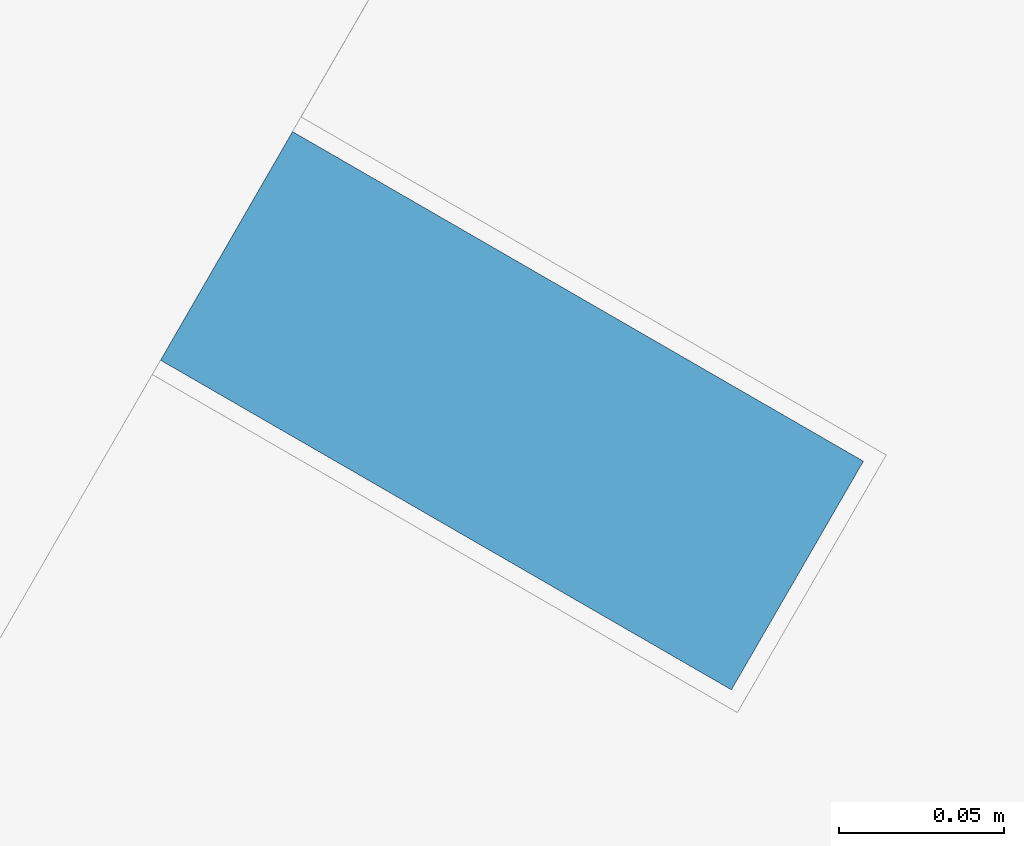
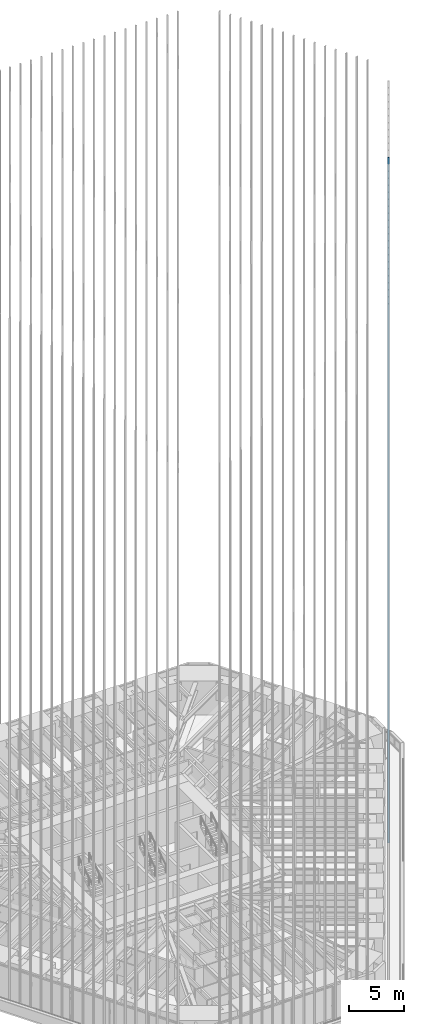
# One storey, part 104 of 238: 1 member, 1 element without a shape of its own.
"""IFC4 building model written with IfcOpenShell, lengths in metres."""

import ifcopenshell
import ifcopenshell.guid

model = None  # the IFC model being written
_history = None  # IfcOwnerHistory: only IFC2X3 demands one
_inside = {}  # id of a spatial element -> (the spatial element, [elements in it])
_under = {}  # id of a project, library or spatial element -> (it, [spatial elements below it])
_declared = {}  # id of a project -> (the project, [libraries it declares])
_typed = {}  # id of a type object -> (the type object, [elements of that type])
_made_of = {}  # id of a material, layer set ... -> (it, [elements and type objects made of it])


def new_model(schema):
    """Start an empty IFC model of exactly this schema.

    Asked for "IFC4X3", IfcOpenShell would pick the latest addendum, in which some entities
    have other attributes; the version numbers below select the first issue.
    IFC2X3 requires an IfcOwnerHistory on every rooted entity: one is made here for all.
    """
    global model, _history
    if schema == "IFC4X3":
        model = ifcopenshell.file(schema_version=(4, 3, 0, 0))
    else:
        model = ifcopenshell.file(schema=schema)
    _inside.clear()
    _under.clear()
    _declared.clear()
    _typed.clear()
    _made_of.clear()
    _history = None
    if model.schema == "IFC2X3":
        org = make("IfcOrganization", Name="unknown")
        user = make(
            "IfcPersonAndOrganization",
            ThePerson=make("IfcPerson", FamilyName="unknown"),
            TheOrganization=org,
        )
        app = make(
            "IfcApplication",
            ApplicationDeveloper=org,
            Version="unknown",
            ApplicationFullName="unknown",
            ApplicationIdentifier="unknown",
        )
        _history = make(
            "IfcOwnerHistory",
            OwningUser=user,
            OwningApplication=app,
            ChangeAction="ADDED",
            CreationDate=0,
        )
    return model


def make(cls, **values):
    """One entity of the class cls with the attributes given. An attribute that is None is left unset."""
    return model.create_entity(
        cls, **{name: value for name, value in values.items() if value is not None}
    )


def rooted(cls, **values):
    """An entity with a GlobalId (a new one), such as an element, a storey or a relation."""
    return make(cls, GlobalId=ifcopenshell.guid.new(), OwnerHistory=_history, **values)


def si_unit(unit_type, name, prefix=None):
    """IfcSIUnit, for example si_unit("LENGTHUNIT", "METRE", prefix="MILLI")."""
    return make("IfcSIUnit", UnitType=unit_type, Prefix=prefix, Name=name)


def assignment(units):
    """IfcUnitAssignment: the units of a project."""
    return None if units is None else make("IfcUnitAssignment", Units=units)


def point(xyz):
    """IfcCartesianPoint."""
    return None if xyz is None else make("IfcCartesianPoint", Coordinates=xyz)


def direction(xyz):
    """IfcDirection."""
    return None if xyz is None else make("IfcDirection", DirectionRatios=xyz)


def frame(location, z_axis=None, x_axis=None):
    """IfcAxis2Placement3D, a coordinate frame: its origin and axes. An axis left out is left unset."""
    return make(
        "IfcAxis2Placement3D",
        Location=point(location),
        Axis=direction(z_axis),
        RefDirection=direction(x_axis),
    )


def frame_2d(location, x_axis=None):
    """IfcAxis2Placement2D, a coordinate frame in the plane: its origin and x axis."""
    return make(
        "IfcAxis2Placement2D", Location=point(location), RefDirection=direction(x_axis)
    )


def origin():
    """The frame at (0, 0, 0) with its axes left unset."""
    return frame((0.0, 0.0, 0.0))


def origin_2d():
    """The frame at (0, 0) in the plane with its x axis left unset."""
    return frame_2d((0.0, 0.0))


def place(relative_to, where):
    """IfcLocalPlacement: puts the frame where relative to a parent placement (None: the world)."""
    return make(
        "IfcLocalPlacement", PlacementRelTo=relative_to, RelativePlacement=where
    )


def context(
    kind, dimensions, precision=None, world=None, true_north=None, identifier=None
):
    """IfcGeometricRepresentationContext, for example the 3D "Model" context."""
    return make(
        "IfcGeometricRepresentationContext",
        ContextIdentifier=identifier,
        ContextType=kind,
        CoordinateSpaceDimension=dimensions,
        Precision=precision,
        WorldCoordinateSystem=world,
        TrueNorth=true_north,
    )


def subcontext(parent, identifier, kind, view, scale=None):
    """IfcGeometricRepresentationSubContext, for example "Body" below "Model"."""
    return make(
        "IfcGeometricRepresentationSubContext",
        ContextIdentifier=identifier,
        ContextType=kind,
        ParentContext=parent,
        TargetScale=scale,
        TargetView=view,
    )


def project(units=None, contexts=None):
    """IfcProject with its units and contexts."""
    return rooted(
        "IfcProject",
        Name="project",
        RepresentationContexts=contexts,
        UnitsInContext=assignment(units),
    )


def spatial(cls, under=None, at=None, **own):
    """A site, building, storey or space (cls), placed at a placement, below another one or the project."""
    s = rooted(cls, ObjectPlacement=at, **own)
    if under is not None:
        _under.setdefault(under.id(), (under, []))[1].append(s)
    return s


def profile(cls, at=None, kind="AREA", **sizes):
    """A parametric profile (cls). Its sizes go by their IFC names, for example OverallWidth=200.0."""
    return make(cls, ProfileType=kind, Position=at, **sizes)


def rectangle(**sizes):
    """IfcRectangleProfileDef."""
    return profile("IfcRectangleProfileDef", **sizes)


def extrude(swept, where, along, depth):
    """IfcExtrudedAreaSolid: the profile swept, set in the frame where, extruded along a direction by depth."""
    return make(
        "IfcExtrudedAreaSolid",
        SweptArea=swept,
        Position=where,
        ExtrudedDirection=direction(along),
        Depth=depth,
    )


def shape(context_of_items, identifier, shape_type, items):
    """IfcShapeRepresentation: the items that make up one representation, for example the "Body"."""
    return make(
        "IfcShapeRepresentation",
        ContextOfItems=context_of_items,
        RepresentationIdentifier=identifier,
        RepresentationType=shape_type,
        Items=items,
    )


def material(Name=None, Category=None):
    """IfcMaterial."""
    return make("IfcMaterial", Name=Name, Category=Category)


def material_profile(
    of_material, cross_section, Name=None, Category=None, Priority=None
):
    """IfcMaterialProfile: a cross section and its material."""
    return make(
        "IfcMaterialProfile",
        Name=Name,
        Material=of_material,
        Profile=cross_section,
        Priority=Priority,
        Category=Category,
    )


def profile_set(profiles, Name=None, composite=None):
    """IfcMaterialProfileSet."""
    return make(
        "IfcMaterialProfileSet",
        Name=Name,
        MaterialProfiles=profiles,
        CompositeProfile=composite,
    )


def made_of(thing, what):
    """Note that an element or type object is made of a material, layer set ...; save() writes the relation."""
    if what is not None:
        _made_of.setdefault(what.id(), (what, []))[1].append(thing)
    return thing


def type_object(cls, material=None, **own):
    """A type object (cls), such as IfcWallType, which elements share."""
    return made_of(rooted(cls, **own), material)


def element(
    cls,
    number,
    at=None,
    inside=None,
    cuts=None,
    type_object=None,
    material=None,
    context=None,
    identifier="Body",
    shape_type=None,
    held_by="IfcProductDefinitionShape",
    body=None,
    shapes=None,
    **own,
):
    """One element of the class cls, such as IfcWall. Its Tag is "e" and its number.

    at: its placement. inside: the storey or other place that contains it. cuts: it is an
    opening in that element (IfcRelVoidsElement). A single representation is given by context,
    identifier, shape_type and body (its items); several are given by shapes. held_by: the class
    of the entity that holds the representations. save() writes the other relations.
    """
    e = rooted(cls, Tag="e%d" % number, ObjectPlacement=at, **own)
    if body is not None:
        shapes = [shape(context, identifier, shape_type, body)]
    if shapes is not None:
        e.Representation = make(held_by, Representations=shapes)
    if inside is not None:
        _inside.setdefault(inside.id(), (inside, []))[1].append(e)
    if cuts is not None:
        rooted(
            "IfcRelVoidsElement", RelatingBuildingElement=cuts, RelatedOpeningElement=e
        )
    if type_object is not None:
        _typed.setdefault(type_object.id(), (type_object, []))[1].append(e)
    return made_of(e, material)


def aggregate(whole, parts):
    """IfcRelAggregates: a whole, such as a stair, and the parts it consists of."""
    return rooted("IfcRelAggregates", RelatingObject=whole, RelatedObjects=parts)


def save(model, path):
    """Write the relations noted so far, then the file.

    IfcRelAggregates (storeys below a building ...), IfcRelContainedInSpatialStructure (elements
    in a storey), IfcRelDefinesByType, IfcRelAssociatesMaterial and IfcRelDeclares: one each for
    every whole, place, type object, material and project.
    """
    for whole, parts in _under.values():
        aggregate(whole, parts)
    for where, things in _inside.values():
        rooted(
            "IfcRelContainedInSpatialStructure",
            RelatedElements=things,
            RelatingStructure=where,
        )
    for kind, things in _typed.values():
        rooted("IfcRelDefinesByType", RelatedObjects=things, RelatingType=kind)
    for what, things in _made_of.values():
        rooted("IfcRelAssociatesMaterial", RelatedObjects=things, RelatingMaterial=what)
    for by, libraries in _declared.values():
        rooted("IfcRelDeclares", RelatingContext=by, RelatedDefinitions=libraries)
    model.write(path)


model = new_model("IFC4")

# Units and contexts
model_context = context("Model", 3, precision=1e-05, world=origin(), true_north=direction((0.0, 1.0)))
body_context = subcontext(model_context, "Body", "Model", "MODEL_VIEW")
ifc_project = project(units=[si_unit("LENGTHUNIT", "METRE"), si_unit("AREAUNIT", "SQUARE_METRE"), si_unit("VOLUMEUNIT", "CUBIC_METRE"), si_unit("PLANEANGLEUNIT", "RADIAN"), si_unit("MASSUNIT", "GRAM", prefix="KILO")], contexts=[model_context])

# Site, building, storey
site_placement = place(None, origin())
site = spatial("IfcSite", under=ifc_project, at=site_placement, CompositionType="ELEMENT")
building_placement = place(site_placement, origin())
building = spatial("IfcBuilding", under=site, at=building_placement, Name="Sandreach Pilgrim Tower", CompositionType="ELEMENT")
storey_placement = place(building_placement, frame((0.0, 0.0, 96.800048828125)))
storey = spatial("IfcBuildingStorey", under=building, at=storey_placement, Name="L23", CompositionType="ELEMENT", Elevation=96.800048828125)

# Curtain wall, member
ifc_material_1 = material(Name="Aluminium framed curtain wall", Category="aluminium")
curtain_wall_type = type_object("IfcCurtainWallType", Name="Hotel tower curtain wall", PredefinedType="NOTDEFINED", material=ifc_material_1)
curtain_wall_placement = place(storey_placement, origin())
curtain_wall = element("IfcCurtainWall", 1, at=curtain_wall_placement, inside=storey, type_object=curtain_wall_type, Name="CW-2 L23 SE", PredefinedType="NOTDEFINED")
ifc_material_2 = material(Name="Extruded terracotta on aluminium core", Category="masonry")
ifc_material_profile = material_profile(ifc_material_2, rectangle(XDim=0.080078125, YDim=0.199951171875, at=origin_2d()), Name="TBE 80X200")
ifc_profile_set = profile_set([ifc_material_profile], Name="Extruded terracotta on aluminium core")
member_type = type_object("IfcMemberType", Name="Terracotta baguette east", PredefinedType="USERDEFINED", material=ifc_profile_set)
member_placement = place(storey_placement, frame((22.578369140625, -6.6806640625, 0.0), z_axis=(0.0, 0.0, 1.0), x_axis=(-0.5, -0.866025403784, 0.0)))
member = element("IfcMember", 2, at=member_placement, type_object=member_type, Name="Baguette Z2 SE12", ObjectType="BAGUETTE", PredefinedType="USERDEFINED", context=body_context, shape_type="SweptSolid", body=[
    extrude(rectangle(XDim=0.080078125, YDim=0.199951171875, at=origin_2d()), origin(), (0.0, 0.0, 1.0), 75.83984375),
])
aggregate(curtain_wall, [member])

save(model, "model.ifc")
